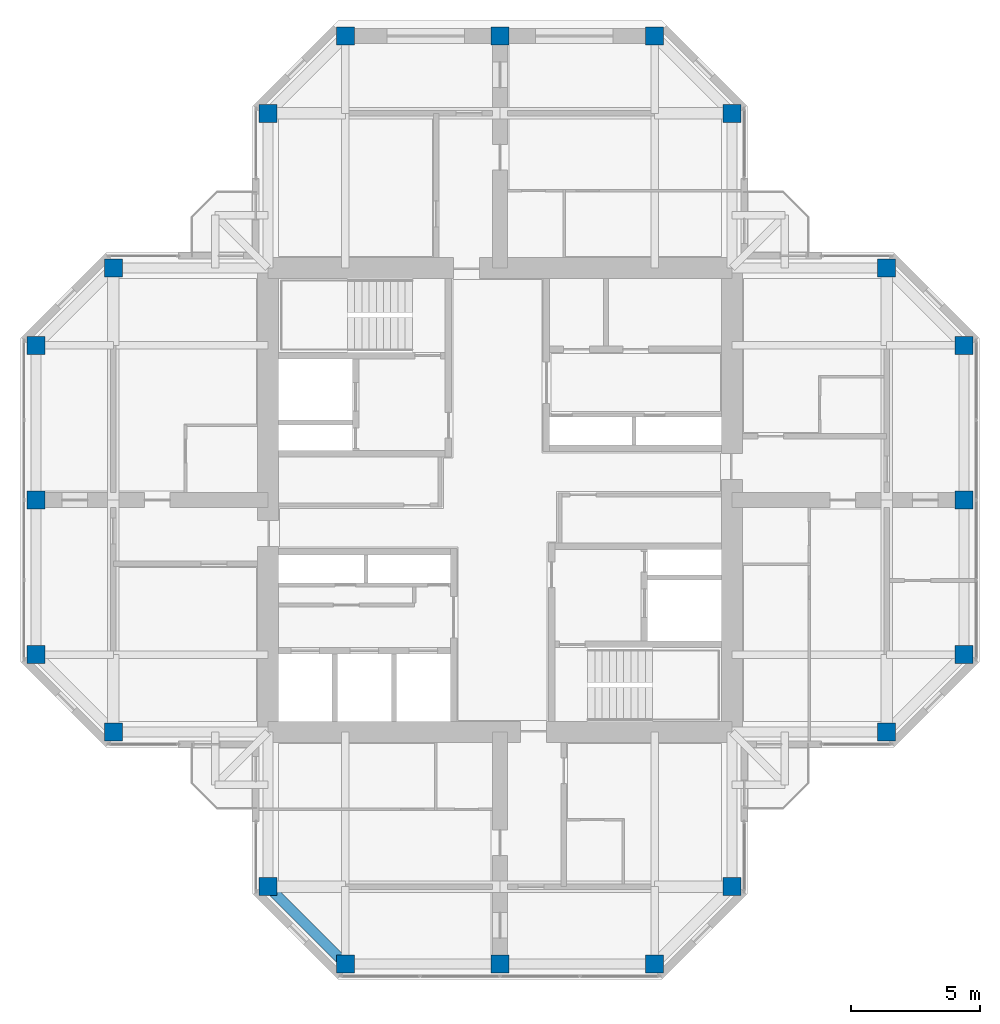
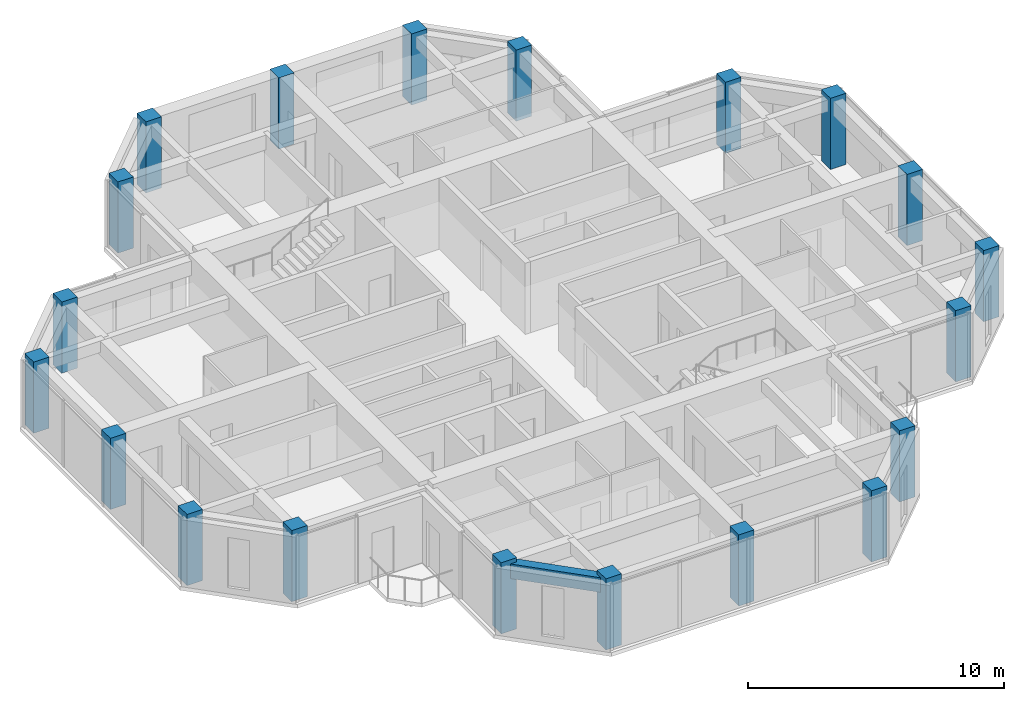
# One storey, part 1 of 13: 20 columns, 1 beam.
"""IFC4 building model written with IfcOpenShell, lengths in metres."""

from ifc_helpers import new_model, si_unit, direction, frame, origin, origin_2d, place, context, subcontext, project, spatial, rectangle, extrude, material, material_profile, profile_set, type_object, element, save


model = new_model("IFC4")

# Units and contexts
model_context = context("Model", 3, precision=1e-05, world=origin(), true_north=direction((0.0, 1.0)))
body_context = subcontext(model_context, "Body", "Model", "MODEL_VIEW")
ifc_project = project(units=[si_unit("LENGTHUNIT", "METRE"), si_unit("AREAUNIT", "SQUARE_METRE"), si_unit("VOLUMEUNIT", "CUBIC_METRE"), si_unit("PLANEANGLEUNIT", "RADIAN"), si_unit("MASSUNIT", "GRAM", prefix="KILO")], contexts=[model_context])

# Site, building, storey
site_placement = place(None, origin())
site = spatial("IfcSite", under=ifc_project, at=site_placement, CompositionType="ELEMENT")
building_placement = place(site_placement, origin())
building = spatial("IfcBuilding", under=site, at=building_placement, Name="Torre Cruceta", CompositionType="ELEMENT")
storey_placement = place(building_placement, frame((0.0, 0.0, 284.89990234375)))
storey = spatial("IfcBuildingStorey", under=building, at=storey_placement, Name="L74", CompositionType="ELEMENT", Elevation=284.89990234375)

# Columns
ifc_material_1 = material(Name="Concrete G60 (fck 60 MPa)", Category="concrete")
ifc_material_profile_1 = material_profile(ifc_material_1, rectangle(XDim=0.699951171875, YDim=0.699951171875, at=origin_2d()), Name="RC 700X700")
ifc_profile_set_1 = profile_set([ifc_material_profile_1], Name="Concrete G60 (fck 60 MPa)")
column_type = type_object("IfcColumnType", Name="COLUMN RC 700X700", PredefinedType="COLUMN", material=ifc_profile_set_1)
for number, where, z_axis, x_axis, name in (
    (1, (9.0, 15.0, 0.0), (0.0, 0.0, 1.0), (1.0, 0.0, 0.0), "C8 L74 N chamfer"),
    (2, (-9.0, 15.0, 0.0), (0.0, 0.0, 1.0), (1.0, 0.0, 0.0), "C8 L74 N chamfer"),
    (3, (6.0, 18.0, 0.0), (0.0, 0.0, 1.0), (1.0, 0.0, 0.0), "C8 L74 N tip"),
    (4, (0.0, 18.0, 0.0), (0.0, 0.0, 1.0), (1.0, 0.0, 0.0), "C8 L74 N tip"),
    (5, (-6.0, 18.0, 0.0), (0.0, 0.0, 1.0), (1.0, 0.0, 0.0), "C8 L74 N tip"),
    (6, (15.0, -9.0, 0.0), (0.0, 0.0, 1.0), (1.0, 0.0, 0.0), "C8 L74 E chamfer"),
    (7, (15.0, 9.0, 0.0), (0.0, 0.0, 1.0), (1.0, 0.0, 0.0), "C8 L74 E chamfer"),
    (8, (18.0, -6.0, 0.0), (0.0, 0.0, 1.0), (1.0, 0.0, 0.0), "C8 L74 E tip"),
    (9, (18.0, 0.0, 0.0), (0.0, 0.0, 1.0), (1.0, 0.0, 0.0), "C8 L74 E tip"),
    (10, (18.0, 6.0, 0.0), (0.0, 0.0, 1.0), (1.0, 0.0, 0.0), "C8 L74 E tip"),
    (11, (-9.0, -15.0, 0.0), (0.0, 0.0, 1.0), (1.0, 0.0, 0.0), "C8 L74 S chamfer"),
    (12, (9.0, -15.0, 0.0), (0.0, 0.0, 1.0), (1.0, 0.0, 0.0), "C8 L74 S chamfer"),
    (13, (-6.0, -18.0, 0.0), (0.0, 0.0, 1.0), (1.0, 0.0, 0.0), "C8 L74 S tip"),
    (14, (0.0, -18.0, 0.0), (0.0, 0.0, 1.0), (1.0, 0.0, 0.0), "C8 L74 S tip"),
    (15, (6.0, -18.0, 0.0), (0.0, 0.0, 1.0), (1.0, 0.0, 0.0), "C8 L74 S tip"),
    (16, (-15.0, 9.0, 0.0), (0.0, 0.0, 1.0), (1.0, 0.0, 0.0), "C8 L74 W chamfer"),
    (17, (-15.0, -9.0, 0.0), (0.0, 0.0, 1.0), (1.0, 0.0, 0.0), "C8 L74 W chamfer"),
    (18, (-18.0, 6.0, 0.0), (0.0, 0.0, 1.0), (1.0, 0.0, 0.0), "C8 L74 W tip"),
    (19, (-18.0, 0.0, 0.0), (0.0, 0.0, 1.0), (1.0, 0.0, 0.0), "C8 L74 W tip"),
    (20, (-18.0, -6.0, 0.0), (0.0, 0.0, 1.0), (1.0, 0.0, 0.0), "C8 L74 W tip"),
):
    element("IfcColumn", number, at=place(storey_placement, frame(where, z_axis=z_axis, x_axis=x_axis)), inside=storey, type_object=column_type, Name=name, PredefinedType="COLUMN", context=body_context, shape_type="SweptSolid", body=[
        extrude(rectangle(XDim=0.699951171875, YDim=0.699951171875, at=origin_2d()), origin(), (0.0, 0.0, 1.0), 3.400146484375),
    ])

# Beam
ifc_material_2 = material(Name="Concrete G60 (fck 60 MPa)", Category="concrete")
ifc_material_profile_2 = material_profile(ifc_material_2, rectangle(XDim=0.39990234375, YDim=0.699951171875, at=origin_2d()), Name="RC 400X700")
ifc_profile_set_2 = profile_set([ifc_material_profile_2], Name="Concrete G60 (fck 60 MPa)")
beam_type = type_object("IfcBeamType", Name="SPANDREL BEAM RC 400X700", PredefinedType="SPANDREL", material=ifc_profile_set_2)
beam_placement = place(storey_placement, frame((-9.0, -15.0, 2.85009765625), z_axis=(0.707106781187, -0.707106781187, 0.0), x_axis=(0.707106781187, 0.707106781187, 0.0)))
element("IfcBeam", 21, at=beam_placement, inside=storey, type_object=beam_type, Name="SB8 L74 S side- 2", PredefinedType="SPANDREL", context=body_context, shape_type="SweptSolid", body=[
    extrude(rectangle(XDim=0.39990234375, YDim=0.699951171875, at=origin_2d()), origin(), (0.0, 0.0, 1.0), 4.24267578125),
])

save(model, "model.ifc")
